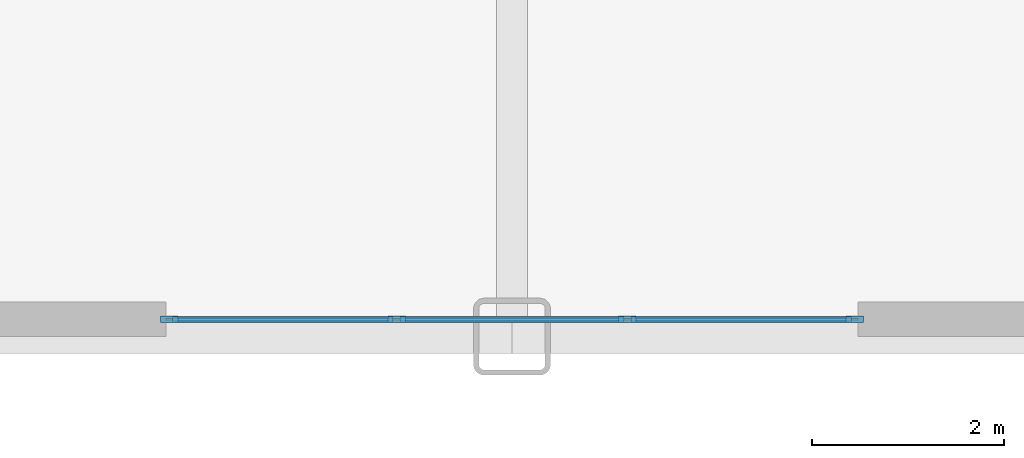
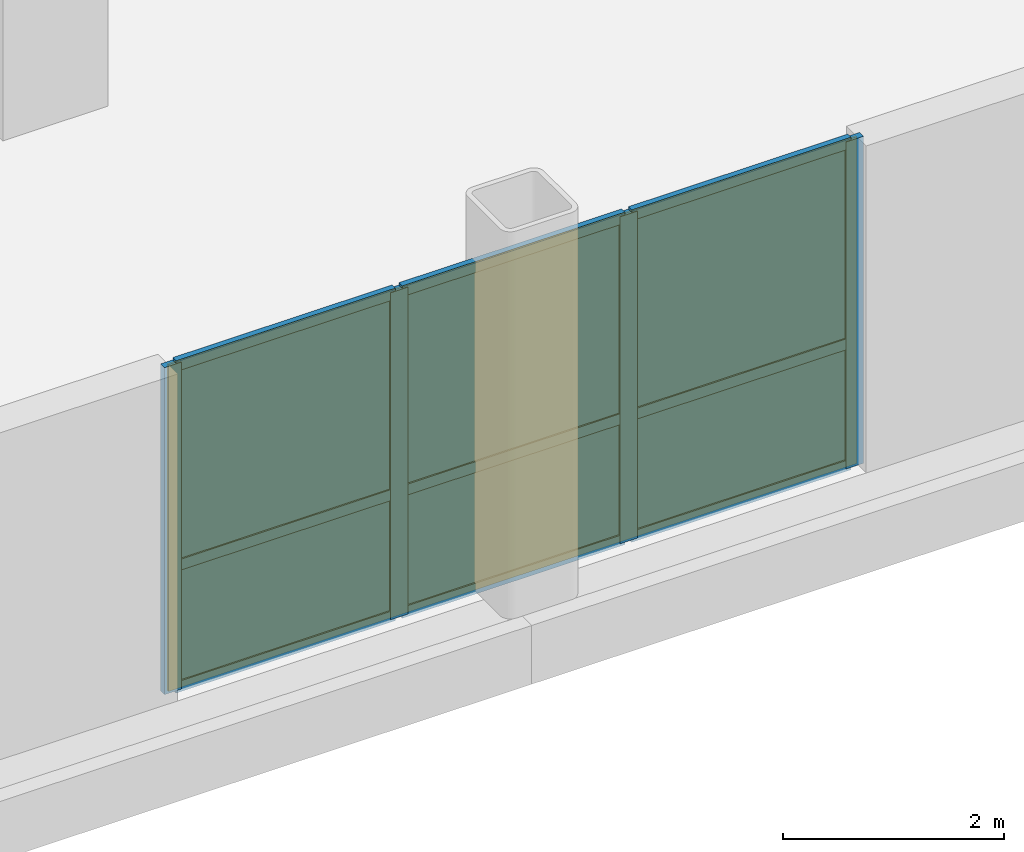
# One storey, part 9 of 15: 13 members, 6 plates, 1 curtain wall.
"""IFC4 building model written with IfcOpenShell, lengths in metres."""

from ifc_helpers import new_model, si_unit, direction, frame, frame_2d, origin, origin_2d, place, context, subcontext, project, spatial, rectangle, extrude, source, transform, mapped, material, layer, layer_set, material_profile, profile_set, type_object, type_shapes, element, aggregate, save


model = new_model("IFC4")

# Units and contexts
model_context = context("Model", 3, precision=1e-05, world=origin(), true_north=direction((0.0, 1.0)))
body_context = subcontext(model_context, "Body", "Model", "MODEL_VIEW")
ifc_project = project(units=[si_unit("LENGTHUNIT", "METRE"), si_unit("AREAUNIT", "SQUARE_METRE"), si_unit("VOLUMEUNIT", "CUBIC_METRE"), si_unit("PLANEANGLEUNIT", "RADIAN"), si_unit("MASSUNIT", "GRAM", prefix="KILO")], contexts=[model_context])

# Member
ifc_material_1 = material(Name="Anodised aluminium 6063-T6", Category="aluminium")
ifc_material_profile_1 = material_profile(ifc_material_1, rectangle(XDim=0.070068359375, YDim=0.179931640625, at=origin_2d()), Name="ALU-MULL-70x180")
ifc_profile_set_1 = profile_set([ifc_material_profile_1], Name="Anodised aluminium 6063-T6")
member_type_1 = type_object("IfcMemberType", Name="CWM-2", PredefinedType="MULLION", material=ifc_profile_set_1)
site_placement = place(None, origin())
building_placement = place(site_placement, origin())
storey_placement = place(building_placement, frame((0.0, 0.0, 9.199951171875)))
member_1_placement = place(storey_placement, frame((15.43505859375, -25.820068359375, 0.0), z_axis=(0.0, 0.0, 1.0), x_axis=(0.0, 1.0, 0.0)))
member_1 = element("IfcMember", 1, at=member_1_placement, type_object=member_type_1, Name="CWS-2 mullion 1", PredefinedType="MULLION", context=body_context, shape_type="SweptSolid", body=[
    extrude(rectangle(XDim=0.070068359375, YDim=0.179931640625, at=origin_2d()), origin(), (0.0, 0.0, 1.0), 3.614990234375),
])

member_2_placement = place(storey_placement, frame((17.800048828125, -25.820068359375, 0.0), z_axis=(0.0, 0.0, 1.0), x_axis=(0.0, 1.0, 0.0)))
member_2 = element("IfcMember", 2, at=member_2_placement, type_object=member_type_1, Name="CWS-2 mullion 2", PredefinedType="MULLION", context=body_context, shape_type="SweptSolid", body=[
    extrude(rectangle(XDim=0.070068359375, YDim=0.179931640625, at=origin_2d()), origin(), (0.0, 0.0, 1.0), 3.614990234375),
])

member_3_placement = place(storey_placement, frame((20.199951171875, -25.820068359375, 0.0), z_axis=(0.0, 0.0, 1.0), x_axis=(0.0, 1.0, 0.0)))
member_3 = element("IfcMember", 3, at=member_3_placement, type_object=member_type_1, Name="CWS-2 mullion 3", PredefinedType="MULLION", context=body_context, shape_type="SweptSolid", body=[
    extrude(rectangle(XDim=0.070068359375, YDim=0.179931640625, at=origin_2d()), origin(), (0.0, 0.0, 1.0), 3.614990234375),
])

member_4_placement = place(storey_placement, frame((22.56494140625, -25.820068359375, 0.0), z_axis=(0.0, 0.0, 1.0), x_axis=(0.0, 1.0, 0.0)))
member_4 = element("IfcMember", 4, at=member_4_placement, type_object=member_type_1, Name="CWS-2 mullion 4", PredefinedType="MULLION", context=body_context, shape_type="SweptSolid", body=[
    extrude(rectangle(XDim=0.070068359375, YDim=0.179931640625, at=origin_2d()), origin(), (0.0, 0.0, 1.0), 3.614990234375),
])

ifc_material_profile_2 = material_profile(ifc_material_1, rectangle(XDim=0.06005859375, YDim=0.1201171875, at=origin_2d()), Name="ALU-TRAN-60x120")
ifc_profile_set_2 = profile_set([ifc_material_profile_2], Name="Anodised aluminium 6063-T6")
member_type_2 = type_object("IfcMemberType", Name="CWT-2", PredefinedType="USERDEFINED", material=ifc_profile_set_2)
member_5_placement = place(storey_placement, frame((15.469970703125, -25.820068359375, 0.030029296875), z_axis=(1.0, 0.0, 0.0), x_axis=(0.0, 1.0, 0.0)))
member_5 = element("IfcMember", 5, at=member_5_placement, type_object=member_type_2, Name="CWS-2 transom 1.1", ObjectType="TRANSOM", PredefinedType="USERDEFINED", context=body_context, shape_type="SweptSolid", body=[
    extrude(rectangle(XDim=0.06005859375, YDim=0.1201171875, at=origin_2d()), origin(), (0.0, 0.0, 1.0), 2.294921875),
])

member_6_placement = place(storey_placement, frame((15.469970703125, -25.820068359375, 1.373779296875), z_axis=(1.0, 0.0, 0.0), x_axis=(0.0, 1.0, 0.0)))
member_6 = element("IfcMember", 6, at=member_6_placement, type_object=member_type_2, Name="CWS-2 transom 1.2", ObjectType="TRANSOM", PredefinedType="USERDEFINED", context=body_context, shape_type="SweptSolid", body=[
    extrude(rectangle(XDim=0.06005859375, YDim=0.1201171875, at=origin_2d()), origin(), (0.0, 0.0, 1.0), 2.294921875),
])

member_7_placement = place(storey_placement, frame((15.469970703125, -25.820068359375, 3.5849609375), z_axis=(1.0, 0.0, 0.0), x_axis=(0.0, 1.0, 0.0)))
member_7 = element("IfcMember", 7, at=member_7_placement, type_object=member_type_2, Name="CWS-2 transom 1.3", ObjectType="TRANSOM", PredefinedType="USERDEFINED", context=body_context, shape_type="SweptSolid", body=[
    extrude(rectangle(XDim=0.06005859375, YDim=0.1201171875, at=origin_2d()), origin(), (0.0, 0.0, 1.0), 2.294921875),
])

member_8_placement = place(storey_placement, frame((17.8349609375, -25.820068359375, 0.030029296875), z_axis=(1.0, 0.0, 0.0), x_axis=(0.0, 1.0, 0.0)))
member_8 = element("IfcMember", 8, at=member_8_placement, type_object=member_type_2, Name="CWS-2 transom 2.1", ObjectType="TRANSOM", PredefinedType="USERDEFINED", context=body_context, shape_type="SweptSolid", body=[
    extrude(rectangle(XDim=0.06005859375, YDim=0.1201171875, at=origin_2d()), origin(), (0.0, 0.0, 1.0), 2.330078125),
])

member_9_placement = place(storey_placement, frame((17.8349609375, -25.820068359375, 1.373779296875), z_axis=(1.0, 0.0, 0.0), x_axis=(0.0, 1.0, 0.0)))
member_9 = element("IfcMember", 9, at=member_9_placement, type_object=member_type_2, Name="CWS-2 transom 2.2", ObjectType="TRANSOM", PredefinedType="USERDEFINED", context=body_context, shape_type="SweptSolid", body=[
    extrude(rectangle(XDim=0.06005859375, YDim=0.1201171875, at=origin_2d()), origin(), (0.0, 0.0, 1.0), 2.330078125),
])

member_10_placement = place(storey_placement, frame((17.8349609375, -25.820068359375, 3.5849609375), z_axis=(1.0, 0.0, 0.0), x_axis=(0.0, 1.0, 0.0)))
member_10 = element("IfcMember", 10, at=member_10_placement, type_object=member_type_2, Name="CWS-2 transom 2.3", ObjectType="TRANSOM", PredefinedType="USERDEFINED", context=body_context, shape_type="SweptSolid", body=[
    extrude(rectangle(XDim=0.06005859375, YDim=0.1201171875, at=origin_2d()), origin(), (0.0, 0.0, 1.0), 2.330078125),
])

member_11_placement = place(storey_placement, frame((20.235107421875, -25.820068359375, 0.030029296875), z_axis=(1.0, 0.0, 0.0), x_axis=(0.0, 1.0, 0.0)))
member_11 = element("IfcMember", 11, at=member_11_placement, type_object=member_type_2, Name="CWS-2 transom 3.1", ObjectType="TRANSOM", PredefinedType="USERDEFINED", context=body_context, shape_type="SweptSolid", body=[
    extrude(rectangle(XDim=0.06005859375, YDim=0.1201171875, at=origin_2d()), origin(), (0.0, 0.0, 1.0), 2.294921875),
])

member_12_placement = place(storey_placement, frame((20.235107421875, -25.820068359375, 1.373779296875), z_axis=(1.0, 0.0, 0.0), x_axis=(0.0, 1.0, 0.0)))
member_12 = element("IfcMember", 12, at=member_12_placement, type_object=member_type_2, Name="CWS-2 transom 3.2", ObjectType="TRANSOM", PredefinedType="USERDEFINED", context=body_context, shape_type="SweptSolid", body=[
    extrude(rectangle(XDim=0.06005859375, YDim=0.1201171875, at=origin_2d()), origin(), (0.0, 0.0, 1.0), 2.294921875),
])

member_13_placement = place(storey_placement, frame((20.235107421875, -25.820068359375, 3.5849609375), z_axis=(1.0, 0.0, 0.0), x_axis=(0.0, 1.0, 0.0)))
member_13 = element("IfcMember", 13, at=member_13_placement, type_object=member_type_2, Name="CWS-2 transom 3.3", ObjectType="TRANSOM", PredefinedType="USERDEFINED", context=body_context, shape_type="SweptSolid", body=[
    extrude(rectangle(XDim=0.06005859375, YDim=0.1201171875, at=origin_2d()), origin(), (0.0, 0.0, 1.0), 2.294921875),
])

# Plate
ifc_material_2 = material(Name="Insulated solar-control glass", Category="glass")
ifc_layer_1 = layer(ifc_material_2, 0.030029296875, Name="CWP-2")
ifc_layer_set_1 = layer_set([ifc_layer_1], Name="Insulated solar-control glass")
plate_type = type_object("IfcPlateType", Name="CWP-2", PredefinedType="CURTAIN_PANEL", material=ifc_layer_set_1)
shared_shape_1 = source(origin(), body_context, "Body", "SweptSolid", [
    extrude(rectangle(XDim=2.294921875, YDim=0.030029296875, at=origin_2d()), origin(), (0.0, 0.0, 1.0), 1.28369140625),
])
plate_1_placement = place(storey_placement, frame((16.617431640625, -25.820068359375, 0.06005859375), z_axis=(0.0, 0.0, 1.0), x_axis=(1.0, 0.0, 0.0)))
plate_1 = element("IfcPlate", 14, at=plate_1_placement, type_object=plate_type, Name="CWS-2 panel 1.1", PredefinedType="CURTAIN_PANEL", context=body_context, shape_type="MappedRepresentation", body=[
    mapped(shared_shape_1, transform((0.0, 0.0, 0.0), scale=1.0)),
])

plate_2_placement = place(storey_placement, frame((21.382568359375, -25.820068359375, 0.06005859375), z_axis=(0.0, 0.0, 1.0), x_axis=(1.0, 0.0, 0.0)))
plate_2 = element("IfcPlate", 15, at=plate_2_placement, type_object=plate_type, Name="CWS-2 panel 3.1", PredefinedType="CURTAIN_PANEL", context=body_context, shape_type="MappedRepresentation", body=[
    mapped(shared_shape_1, transform((0.0, 0.0, 0.0), scale=1.0)),
])

shared_shape_2 = source(origin(), body_context, "Body", "SweptSolid", [
    extrude(rectangle(XDim=2.294921875, YDim=0.030029296875, at=origin_2d()), origin(), (0.0, 0.0, 1.0), 2.1513671875),
])
plate_3_placement = place(storey_placement, frame((16.617431640625, -25.820068359375, 1.40380859375), z_axis=(0.0, 0.0, 1.0), x_axis=(1.0, 0.0, 0.0)))
plate_3 = element("IfcPlate", 16, at=plate_3_placement, type_object=plate_type, Name="CWS-2 panel 1.2", PredefinedType="CURTAIN_PANEL", context=body_context, shape_type="MappedRepresentation", body=[
    mapped(shared_shape_2, transform((0.0, 0.0, 0.0), scale=1.0)),
])

plate_4_placement = place(storey_placement, frame((21.382568359375, -25.820068359375, 1.40380859375), z_axis=(0.0, 0.0, 1.0), x_axis=(1.0, 0.0, 0.0)))
plate_4 = element("IfcPlate", 17, at=plate_4_placement, type_object=plate_type, Name="CWS-2 panel 3.2", PredefinedType="CURTAIN_PANEL", context=body_context, shape_type="MappedRepresentation", body=[
    mapped(shared_shape_2, transform((0.0, 0.0, 0.0), scale=1.0)),
])

shared_shape_3 = source(origin(), body_context, "Body", "SweptSolid", [
    extrude(rectangle(XDim=2.330078125, YDim=0.030029296875, at=origin_2d()), origin(), (0.0, 0.0, 1.0), 1.28369140625),
])
plate_5_placement = place(storey_placement, frame((19.0, -25.820068359375, 0.06005859375), z_axis=(0.0, 0.0, 1.0), x_axis=(1.0, 0.0, 0.0)))
plate_5 = element("IfcPlate", 18, at=plate_5_placement, type_object=plate_type, Name="CWS-2 panel 2.1", PredefinedType="CURTAIN_PANEL", context=body_context, shape_type="MappedRepresentation", body=[
    mapped(shared_shape_3, transform((0.0, 0.0, 0.0), scale=1.0)),
])

shared_shape_4 = source(origin(), body_context, "Body", "SweptSolid", [
    extrude(rectangle(XDim=2.330078125, YDim=0.030029296875, at=origin_2d()), origin(), (0.0, 0.0, 1.0), 2.1513671875),
])
type_shapes(plate_type, [shared_shape_1, shared_shape_2, shared_shape_3, shared_shape_4])
plate_6_placement = place(storey_placement, frame((19.0, -25.820068359375, 1.40380859375), z_axis=(0.0, 0.0, 1.0), x_axis=(1.0, 0.0, 0.0)))
plate_6 = element("IfcPlate", 19, at=plate_6_placement, type_object=plate_type, Name="CWS-2 panel 2.2", PredefinedType="CURTAIN_PANEL", context=body_context, shape_type="MappedRepresentation", body=[
    mapped(shared_shape_4, transform((0.0, 0.0, 0.0), scale=1.0)),
])

# Site, building, storey
site = spatial("IfcSite", under=ifc_project, at=site_placement, CompositionType="ELEMENT")
building = spatial("IfcBuilding", under=site, at=building_placement, Name="Nuvemarco Arch Tower", CompositionType="ELEMENT")
storey = spatial("IfcBuildingStorey", under=building, at=storey_placement, Name="L02", CompositionType="ELEMENT", Elevation=9.199951171875)

# Curtain wall
ifc_layer_2 = layer(ifc_material_2, 0.179931640625, Name="CW-SYS-2")
ifc_layer_set_2 = layer_set([ifc_layer_2], Name="Insulated solar-control glass")
curtain_wall_type = type_object("IfcCurtainWallType", Name="CW-SYS-2", PredefinedType="NOTDEFINED", material=ifc_layer_set_2)
curtain_wall_placement = place(storey_placement, frame((15.39990234375, -25.820068359375, 0.0), z_axis=(0.0, 0.0, 1.0), x_axis=(1.0, 0.0, 0.0)))
curtain_wall = element("IfcCurtainWall", 20, at=curtain_wall_placement, inside=storey, type_object=curtain_wall_type, Name="L02 curtain wall CWS-2", PredefinedType="NOTDEFINED", context=body_context, shape_type="SweptSolid", body=[
    extrude(rectangle(XDim=7.2001953125, YDim=0.02001953125, at=frame_2d((3.60009765625, 0.0))), origin(), (0.0, 0.0, 1.0), 3.614990234375),
])

aggregate(curtain_wall, [member_1, member_2, member_3, member_4, member_5, member_6, member_7, plate_1, plate_3, member_8, member_9, member_10, plate_5, plate_6, member_11, member_12, member_13, plate_2, plate_4])

save(model, "model.ifc")
